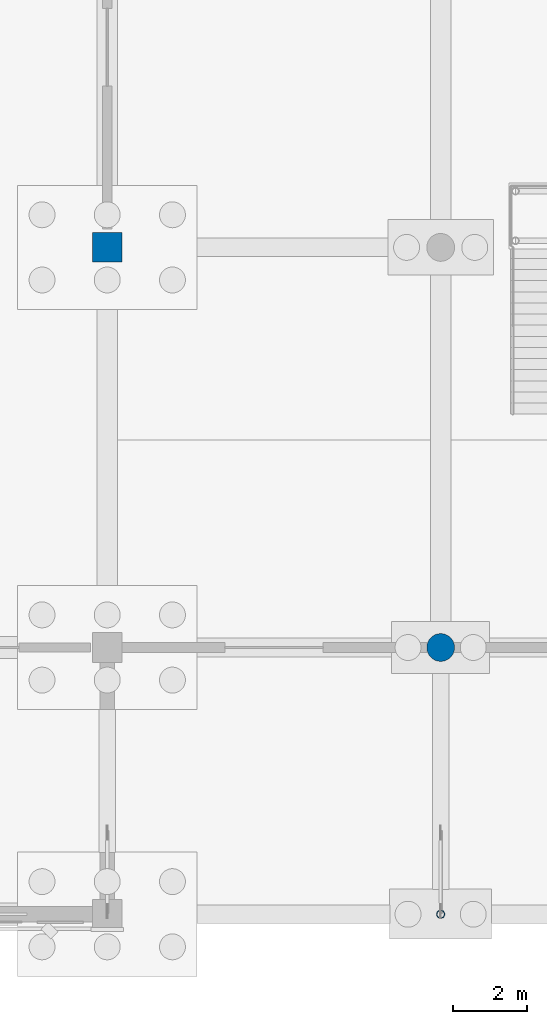
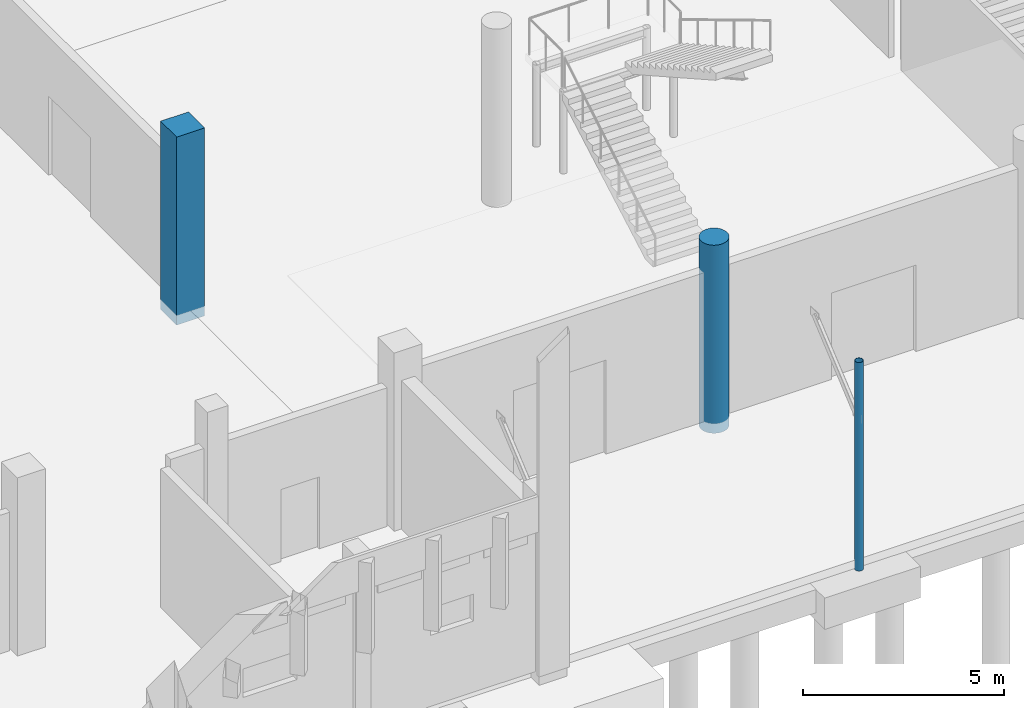
# One storey, part 18 of 109: 3 columns.
"""IFC4 building model written with IfcOpenShell, lengths in metres."""

from ifc_helpers import new_model, si_unit, direction, frame, origin, origin_2d, place, context, subcontext, project, spatial, rectangle, circle, hollow_circle, extrude, material, material_profile, profile_set, type_object, element, save


model = new_model("IFC4")

# Units and contexts
model_context = context("Model", 3, precision=1e-05, world=origin(), true_north=direction((0.0, 1.0)))
body_context = subcontext(model_context, "Body", "Model", "MODEL_VIEW")
ifc_project = project(units=[si_unit("LENGTHUNIT", "METRE"), si_unit("AREAUNIT", "SQUARE_METRE"), si_unit("VOLUMEUNIT", "CUBIC_METRE"), si_unit("PLANEANGLEUNIT", "RADIAN"), si_unit("MASSUNIT", "GRAM", prefix="KILO")], contexts=[model_context])

# Site, building, storey
site_placement = place(None, origin())
site = spatial("IfcSite", under=ifc_project, at=site_placement, CompositionType="ELEMENT")
building_placement = place(site_placement, origin())
building = spatial("IfcBuilding", under=site, at=building_placement, Name="Lusvemor Sports Hall", CompositionType="ELEMENT")
storey_placement = place(building_placement, origin())
storey = spatial("IfcBuildingStorey", under=building, at=storey_placement, Name="L00", CompositionType="ELEMENT", Elevation=0.0)

# Columns
ifc_material_1 = material(Name="Steel S355", Category="steel")
ifc_material_profile_1 = material_profile(ifc_material_1, hollow_circle(Radius=0.109619140625, WallThickness=0.010009765625, at=origin_2d()), Name="CHS219.1x10.0")
ifc_profile_set_1 = profile_set([ifc_material_profile_1], Name="Steel S355")
column_type_1 = type_object("IfcColumnType", Name="COL_CANOPY_ST", PredefinedType="COLUMN", material=ifc_profile_set_1)
column_1_placement = place(storey_placement, frame((84.60009765625, 0.0, -0.300048828125), z_axis=(0.0, 0.0, 1.0), x_axis=(1.0, 0.0, 0.0)))
element("IfcColumn", 1, at=column_1_placement, inside=storey, type_object=column_type_1, Name="Column 9/A (L00)", PredefinedType="COLUMN", context=body_context, shape_type="SweptSolid", body=[
    extrude(hollow_circle(Radius=0.109619140625, WallThickness=0.010009765625, at=origin_2d()), origin(), (0.0, 0.0, 1.0), 6.320068359375),
])
ifc_material_2 = material(Name="Concrete C40/50", Category="concrete")
ifc_material_profile_2 = material_profile(ifc_material_2, circle(Radius=0.375, at=origin_2d()), Name="RCCIRC750")
ifc_profile_set_2 = profile_set([ifc_material_profile_2], Name="Concrete C40/50")
column_type_2 = type_object("IfcColumnType", Name="COL_FOYER_R", PredefinedType="COLUMN", material=ifc_profile_set_2)
column_2_placement = place(storey_placement, frame((84.60009765625, 7.199951171875, -0.300048828125), z_axis=(0.0, 0.0, 1.0), x_axis=(1.0, 0.0, 0.0)))
element("IfcColumn", 2, at=column_2_placement, inside=storey, type_object=column_type_2, Name="Column 9/B (L00)", PredefinedType="COLUMN", context=body_context, shape_type="SweptSolid", body=[
    extrude(circle(Radius=0.375, at=origin_2d()), origin(), (0.0, 0.0, 1.0), 5.699951171875),
])
ifc_material_3 = material(Name="Concrete C40/50", Category="concrete")
ifc_material_profile_3 = material_profile(ifc_material_3, rectangle(XDim=0.800048828125, YDim=0.800048828125, at=origin_2d()), Name="RC800x800")
ifc_profile_set_3 = profile_set([ifc_material_profile_3], Name="Concrete C40/50")
column_type_3 = type_object("IfcColumnType", Name="COL_HALL_W", PredefinedType="COLUMN", material=ifc_profile_set_3)
column_3_placement = place(storey_placement, frame((75.60009765625, 18.0, -0.300048828125), z_axis=(0.0, 0.0, 1.0), x_axis=(1.0, 0.0, 0.0)))
element("IfcColumn", 3, at=column_3_placement, inside=storey, type_object=column_type_3, Name="Column 8/C (L00)", PredefinedType="COLUMN", context=body_context, shape_type="SweptSolid", body=[
    extrude(rectangle(XDim=0.800048828125, YDim=0.800048828125, at=origin_2d()), origin(), (0.0, 0.0, 1.0), 5.699951171875),
])

save(model, "model.ifc")
